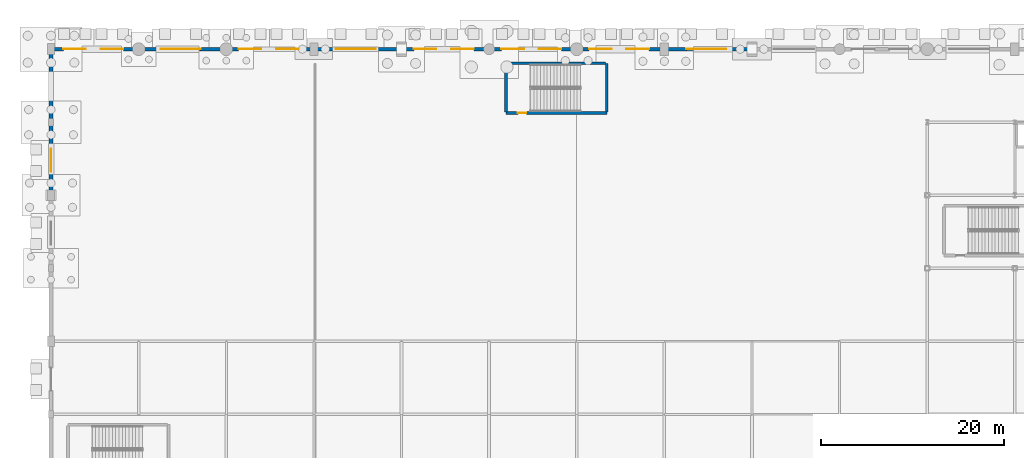
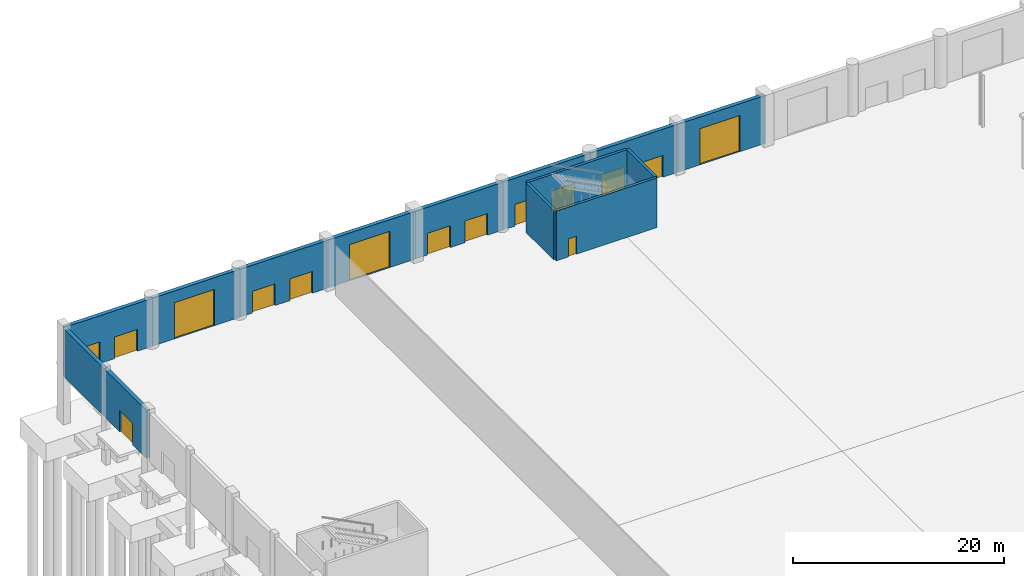
# One storey, part 86 of 124: 15 doors, 14 walls, 15 openings.
"""IFC4 building model written with IfcOpenShell, lengths in metres."""

import ifcopenshell
import ifcopenshell.guid

model = None  # the IFC model being written
_history = None  # IfcOwnerHistory: only IFC2X3 demands one
_inside = {}  # id of a spatial element -> (the spatial element, [elements in it])
_under = {}  # id of a project, library or spatial element -> (it, [spatial elements below it])
_declared = {}  # id of a project -> (the project, [libraries it declares])
_typed = {}  # id of a type object -> (the type object, [elements of that type])
_made_of = {}  # id of a material, layer set ... -> (it, [elements and type objects made of it])


def new_model(schema):
    """Start an empty IFC model of exactly this schema.

    Asked for "IFC4X3", IfcOpenShell would pick the latest addendum, in which some entities
    have other attributes; the version numbers below select the first issue.
    IFC2X3 requires an IfcOwnerHistory on every rooted entity: one is made here for all.
    """
    global model, _history
    if schema == "IFC4X3":
        model = ifcopenshell.file(schema_version=(4, 3, 0, 0))
    else:
        model = ifcopenshell.file(schema=schema)
    _inside.clear()
    _under.clear()
    _declared.clear()
    _typed.clear()
    _made_of.clear()
    _history = None
    if model.schema == "IFC2X3":
        org = make("IfcOrganization", Name="unknown")
        user = make(
            "IfcPersonAndOrganization",
            ThePerson=make("IfcPerson", FamilyName="unknown"),
            TheOrganization=org,
        )
        app = make(
            "IfcApplication",
            ApplicationDeveloper=org,
            Version="unknown",
            ApplicationFullName="unknown",
            ApplicationIdentifier="unknown",
        )
        _history = make(
            "IfcOwnerHistory",
            OwningUser=user,
            OwningApplication=app,
            ChangeAction="ADDED",
            CreationDate=0,
        )
    return model


def make(cls, **values):
    """One entity of the class cls with the attributes given. An attribute that is None is left unset."""
    return model.create_entity(
        cls, **{name: value for name, value in values.items() if value is not None}
    )


def rooted(cls, **values):
    """An entity with a GlobalId (a new one), such as an element, a storey or a relation."""
    return make(cls, GlobalId=ifcopenshell.guid.new(), OwnerHistory=_history, **values)


def si_unit(unit_type, name, prefix=None):
    """IfcSIUnit, for example si_unit("LENGTHUNIT", "METRE", prefix="MILLI")."""
    return make("IfcSIUnit", UnitType=unit_type, Prefix=prefix, Name=name)


def assignment(units):
    """IfcUnitAssignment: the units of a project."""
    return None if units is None else make("IfcUnitAssignment", Units=units)


def point(xyz):
    """IfcCartesianPoint."""
    return None if xyz is None else make("IfcCartesianPoint", Coordinates=xyz)


def direction(xyz):
    """IfcDirection."""
    return None if xyz is None else make("IfcDirection", DirectionRatios=xyz)


def frame(location, z_axis=None, x_axis=None):
    """IfcAxis2Placement3D, a coordinate frame: its origin and axes. An axis left out is left unset."""
    return make(
        "IfcAxis2Placement3D",
        Location=point(location),
        Axis=direction(z_axis),
        RefDirection=direction(x_axis),
    )


def frame_2d(location, x_axis=None):
    """IfcAxis2Placement2D, a coordinate frame in the plane: its origin and x axis."""
    return make(
        "IfcAxis2Placement2D", Location=point(location), RefDirection=direction(x_axis)
    )


def origin():
    """The frame at (0, 0, 0) with its axes left unset."""
    return frame((0.0, 0.0, 0.0))


def place(relative_to, where):
    """IfcLocalPlacement: puts the frame where relative to a parent placement (None: the world)."""
    return make(
        "IfcLocalPlacement", PlacementRelTo=relative_to, RelativePlacement=where
    )


def context(
    kind, dimensions, precision=None, world=None, true_north=None, identifier=None
):
    """IfcGeometricRepresentationContext, for example the 3D "Model" context."""
    return make(
        "IfcGeometricRepresentationContext",
        ContextIdentifier=identifier,
        ContextType=kind,
        CoordinateSpaceDimension=dimensions,
        Precision=precision,
        WorldCoordinateSystem=world,
        TrueNorth=true_north,
    )


def subcontext(parent, identifier, kind, view, scale=None):
    """IfcGeometricRepresentationSubContext, for example "Body" below "Model"."""
    return make(
        "IfcGeometricRepresentationSubContext",
        ContextIdentifier=identifier,
        ContextType=kind,
        ParentContext=parent,
        TargetScale=scale,
        TargetView=view,
    )


def project(units=None, contexts=None):
    """IfcProject with its units and contexts."""
    return rooted(
        "IfcProject",
        Name="project",
        RepresentationContexts=contexts,
        UnitsInContext=assignment(units),
    )


def spatial(cls, under=None, at=None, **own):
    """A site, building, storey or space (cls), placed at a placement, below another one or the project."""
    s = rooted(cls, ObjectPlacement=at, **own)
    if under is not None:
        _under.setdefault(under.id(), (under, []))[1].append(s)
    return s


def profile(cls, at=None, kind="AREA", **sizes):
    """A parametric profile (cls). Its sizes go by their IFC names, for example OverallWidth=200.0."""
    return make(cls, ProfileType=kind, Position=at, **sizes)


def rectangle(**sizes):
    """IfcRectangleProfileDef."""
    return profile("IfcRectangleProfileDef", **sizes)


def extrude(swept, where, along, depth):
    """IfcExtrudedAreaSolid: the profile swept, set in the frame where, extruded along a direction by depth."""
    return make(
        "IfcExtrudedAreaSolid",
        SweptArea=swept,
        Position=where,
        ExtrudedDirection=direction(along),
        Depth=depth,
    )


def shape(context_of_items, identifier, shape_type, items):
    """IfcShapeRepresentation: the items that make up one representation, for example the "Body"."""
    return make(
        "IfcShapeRepresentation",
        ContextOfItems=context_of_items,
        RepresentationIdentifier=identifier,
        RepresentationType=shape_type,
        Items=items,
    )


def material(Name=None, Category=None):
    """IfcMaterial."""
    return make("IfcMaterial", Name=Name, Category=Category)


def layer(
    of_material, thickness, ventilated=None, Name=None, Category=None, Priority=None
):
    """IfcMaterialLayer: one layer of a wall or slab, of a material (None: an air gap)."""
    return make(
        "IfcMaterialLayer",
        Material=of_material,
        LayerThickness=thickness,
        IsVentilated=ventilated,
        Name=Name,
        Category=Category,
        Priority=Priority,
    )


def layer_set(layers, Name=None):
    """IfcMaterialLayerSet."""
    return make("IfcMaterialLayerSet", MaterialLayers=layers, LayerSetName=Name)


def made_of(thing, what):
    """Note that an element or type object is made of a material, layer set ...; save() writes the relation."""
    if what is not None:
        _made_of.setdefault(what.id(), (what, []))[1].append(thing)
    return thing


def type_object(cls, material=None, **own):
    """A type object (cls), such as IfcWallType, which elements share."""
    return made_of(rooted(cls, **own), material)


def element(
    cls,
    number,
    at=None,
    inside=None,
    cuts=None,
    type_object=None,
    material=None,
    context=None,
    identifier="Body",
    shape_type=None,
    held_by="IfcProductDefinitionShape",
    body=None,
    shapes=None,
    **own,
):
    """One element of the class cls, such as IfcWall. Its Tag is "e" and its number.

    at: its placement. inside: the storey or other place that contains it. cuts: it is an
    opening in that element (IfcRelVoidsElement). A single representation is given by context,
    identifier, shape_type and body (its items); several are given by shapes. held_by: the class
    of the entity that holds the representations. save() writes the other relations.
    """
    e = rooted(cls, Tag="e%d" % number, ObjectPlacement=at, **own)
    if body is not None:
        shapes = [shape(context, identifier, shape_type, body)]
    if shapes is not None:
        e.Representation = make(held_by, Representations=shapes)
    if inside is not None:
        _inside.setdefault(inside.id(), (inside, []))[1].append(e)
    if cuts is not None:
        rooted(
            "IfcRelVoidsElement", RelatingBuildingElement=cuts, RelatedOpeningElement=e
        )
    if type_object is not None:
        _typed.setdefault(type_object.id(), (type_object, []))[1].append(e)
    return made_of(e, material)


def fill(opening, filler):
    """IfcRelFillsElement: the door or window that sits in an opening."""
    return rooted(
        "IfcRelFillsElement",
        RelatingOpeningElement=opening,
        RelatedBuildingElement=filler,
    )


def aggregate(whole, parts):
    """IfcRelAggregates: a whole, such as a stair, and the parts it consists of."""
    return rooted("IfcRelAggregates", RelatingObject=whole, RelatedObjects=parts)


def save(model, path):
    """Write the relations noted so far, then the file.

    IfcRelAggregates (storeys below a building ...), IfcRelContainedInSpatialStructure (elements
    in a storey), IfcRelDefinesByType, IfcRelAssociatesMaterial and IfcRelDeclares: one each for
    every whole, place, type object, material and project.
    """
    for whole, parts in _under.values():
        aggregate(whole, parts)
    for where, things in _inside.values():
        rooted(
            "IfcRelContainedInSpatialStructure",
            RelatedElements=things,
            RelatingStructure=where,
        )
    for kind, things in _typed.values():
        rooted("IfcRelDefinesByType", RelatedObjects=things, RelatingType=kind)
    for what, things in _made_of.values():
        rooted("IfcRelAssociatesMaterial", RelatedObjects=things, RelatingMaterial=what)
    for by, libraries in _declared.values():
        rooted("IfcRelDeclares", RelatingContext=by, RelatedDefinitions=libraries)
    model.write(path)


model = new_model("IFC4")

# Units and contexts
model_context = context("Model", 3, precision=1e-05, world=origin(), true_north=direction((0.0, 1.0)))
body_context = subcontext(model_context, "Body", "Model", "MODEL_VIEW")
ifc_project = project(units=[si_unit("LENGTHUNIT", "METRE"), si_unit("AREAUNIT", "SQUARE_METRE"), si_unit("VOLUMEUNIT", "CUBIC_METRE"), si_unit("PLANEANGLEUNIT", "RADIAN"), si_unit("MASSUNIT", "GRAM", prefix="KILO")], contexts=[model_context])

# Site, building, storey
site_placement = place(None, origin())
site = spatial("IfcSite", under=ifc_project, at=site_placement, CompositionType="ELEMENT")
building_placement = place(site_placement, origin())
building = spatial("IfcBuilding", under=site, at=building_placement, Name="Danafjord Basin Convention Centre", CompositionType="ELEMENT")
storey_placement = place(building_placement, origin())
storey = spatial("IfcBuildingStorey", under=building, at=storey_placement, Name="L00", CompositionType="ELEMENT", Elevation=0.0)

# Wall, opening, door
ifc_material_1 = material(Name="Concrete C40/50", Category="concrete")
ifc_layer_1 = layer(ifc_material_1, 0.300048828125)
ifc_layer_set_1 = layer_set([ifc_layer_1], Name="Concrete C40/50")
wall_type_1 = type_object("IfcWallType", Name="WALL-CW-CORE300", PredefinedType="SHEAR", material=ifc_layer_set_1)
wall_1_placement = place(storey_placement, frame((60.889892578125, 137.0, 0.0), z_axis=(0.0, 0.0, 1.0), x_axis=(-1.0, 0.0, 0.0)))
wall_1 = element("IfcWall", 1, at=wall_1_placement, inside=storey, type_object=wall_type_1, Name="North Exhibition Perimeter Stair core shear wall (south)", PredefinedType="SHEAR", context=body_context, shape_type="SweptSolid", body=[
    extrude(rectangle(XDim=11.039794921875, YDim=0.300048828125, at=frame_2d((5.52001953125, 0.0))), origin(), (0.0, 0.0, 1.0), 5.75),
])
opening_1_placement = place(wall_1_placement, frame((8.818115234375, 0.0, 0.0)))
opening_1 = element("IfcOpeningElement", 2, at=opening_1_placement, cuts=wall_1, Name="Opening FD-S01", PredefinedType="OPENING", context=body_context, shape_type="SweptSolid", body=[
    extrude(rectangle(XDim=0.909912109375, YDim=2.080078125, at=frame_2d((0.455078125, 1.0400390625))), frame((0.0, 0.159912109375, 0.0), z_axis=(0.0, -1.0, 0.0), x_axis=(1.0, 0.0, 0.0)), (0.0, 0.0, 1.0), 0.320068359375),
])
ifc_material_2 = material(Name="Powder-coated steel and Nordic oak", Category="steel")
door_type_1 = type_object("IfcDoorType", Name="DOOR-FD-S01", OperationType="NOTDEFINED", PredefinedType="DOOR", material=ifc_material_2)
door_1_placement = place(opening_1_placement, origin())
door_1 = element("IfcDoor", 3, at=door_1_placement, inside=storey, type_object=door_type_1, Name="North Exhibition Perimeter Stair L00 Fire Exit Door", OperationType="SINGLE_SWING_RIGHT", OverallHeight=2.080078125, OverallWidth=0.909912109375, PredefinedType="DOOR", context=body_context, shape_type="SweptSolid", body=[
    extrude(rectangle(XDim=0.909912109375, YDim=2.080078125, at=frame_2d((0.455078125, 1.0400390625))), frame((0.0, 0.02490234375, 0.0), z_axis=(0.0, -1.0, 0.0), x_axis=(1.0, 0.0, 0.0)), (0.0, 0.0, 1.0), 0.050048828125),
])
fill(opening_1, door_1)

# Walls
wall_2_placement = place(storey_placement, frame((60.889892578125, 142.4599609375, 0.0), z_axis=(0.0, 0.0, 1.0), x_axis=(0.0, -1.0, 0.0)))
element("IfcWall", 4, at=wall_2_placement, inside=storey, type_object=wall_type_1, Name="North Exhibition Perimeter Stair core shear wall (east)", PredefinedType="SHEAR", context=body_context, shape_type="SweptSolid", body=[
    extrude(rectangle(XDim=5.324951171875, YDim=0.300048828125, at=frame_2d((2.66259765625, 0.0))), origin(), (0.0, 0.0, 1.0), 5.75),
])
wall_3_placement = place(storey_placement, frame((49.85009765625, 142.4599609375, 0.0), z_axis=(0.0, 0.0, 1.0), x_axis=(1.0, 0.0, 0.0)))
element("IfcWall", 5, at=wall_3_placement, inside=storey, type_object=wall_type_1, Name="North Exhibition Perimeter Stair core shear wall (north)", PredefinedType="SHEAR", context=body_context, shape_type="SweptSolid", body=[
    extrude(rectangle(XDim=10.90478515625, YDim=0.300048828125, at=frame_2d((5.452392578125, 0.0))), origin(), (0.0, 0.0, 1.0), 5.75),
])
wall_4_placement = place(storey_placement, frame((49.85009765625, 137.135009765625, 0.0), z_axis=(0.0, 0.0, 1.0), x_axis=(0.0, 1.0, 0.0)))
element("IfcWall", 6, at=wall_4_placement, inside=storey, type_object=wall_type_1, Name="North Exhibition Perimeter Stair core shear wall (west)", PredefinedType="SHEAR", context=body_context, shape_type="SweptSolid", body=[
    extrude(rectangle(XDim=5.18994140625, YDim=0.300048828125, at=frame_2d((2.594970703125, 0.0))), origin(), (0.0, 0.0, 1.0), 5.75),
])

# Wall, openings, doors
ifc_material_3 = material(Name="Precast concrete C45/55", Category="concrete")
ifc_layer_2 = layer(ifc_material_3, 0.419921875)
ifc_layer_set_2 = layer_set([ifc_layer_2], Name="Precast concrete C45/55")
wall_type_2 = type_object("IfcWallType", Name="WALL-EW-PC420", PredefinedType="SOLIDWALL", material=ifc_layer_set_2)
wall_5_placement = place(storey_placement, frame((0.0, 144.0, 0.0), z_axis=(0.0, 0.0, 1.0), x_axis=(1.0, 0.0, 0.0)))
wall_5 = element("IfcWall", 7, at=wall_5_placement, inside=storey, type_object=wall_type_2, Name="Exhibition hall N acoustic precast wall bay 1", PredefinedType="SOLIDWALL", context=body_context, shape_type="SweptSolid", body=[
    extrude(rectangle(XDim=9.60009765625, YDim=0.419921875, at=frame_2d((4.800048828125, 0.0))), origin(), (0.0, 0.0, 1.0), 5.550048828125),
])
opening_2_placement = place(wall_5_placement, frame((1.35009765625, 0.0, 0.0)))
opening_2 = element("IfcOpeningElement", 8, at=opening_2_placement, cuts=wall_5, Name="Opening ED-02", PredefinedType="OPENING", context=body_context, shape_type="SweptSolid", body=[
    extrude(rectangle(XDim=2.47998046875, YDim=2.52001953125, at=frame_2d((1.239990234375, 1.260009765625))), frame((0.0, 0.219970703125, 0.0), z_axis=(0.0, -1.0, 0.0), x_axis=(1.0, 0.0, 0.0)), (0.0, 0.0, 1.0), 0.43994140625),
])
opening_3_placement = place(wall_5_placement, frame((5.449951171875, 0.0, 0.0)))
opening_3 = element("IfcOpeningElement", 9, at=opening_3_placement, cuts=wall_5, Name="Opening ED-02", PredefinedType="OPENING", context=body_context, shape_type="SweptSolid", body=[
    extrude(rectangle(XDim=2.47998046875, YDim=2.52001953125, at=frame_2d((1.239990234375, 1.260009765625))), frame((0.0, 0.219970703125, 0.0), z_axis=(0.0, -1.0, 0.0), x_axis=(1.0, 0.0, 0.0)), (0.0, 0.0, 1.0), 0.43994140625),
])
ifc_material_4 = material(Name="Thermally broken anodised aluminium and steel", Category="steel")
door_type_2 = type_object("IfcDoorType", Name="DOOR-ED-02", OperationType="DOUBLE_DOOR_SINGLE_SWING", PredefinedType="DOOR", material=ifc_material_4)
door_2_placement = place(opening_2_placement, origin())
door_2 = element("IfcDoor", 10, at=door_2_placement, inside=storey, type_object=door_type_2, Name="Exhibition Hall Exit Door EX-01", OperationType="DOUBLE_DOOR_SINGLE_SWING", OverallHeight=2.52001953125, OverallWidth=2.47998046875, PredefinedType="DOOR", context=body_context, shape_type="SweptSolid", body=[
    extrude(rectangle(XDim=2.47998046875, YDim=2.52001953125, at=frame_2d((1.239990234375, 1.260009765625))), frame((0.0, 0.02490234375, 0.0), z_axis=(0.0, -1.0, 0.0), x_axis=(1.0, 0.0, 0.0)), (0.0, 0.0, 1.0), 0.050048828125),
])
fill(opening_2, door_2)
door_3_placement = place(opening_3_placement, origin())
door_3 = element("IfcDoor", 11, at=door_3_placement, inside=storey, type_object=door_type_2, Name="Exhibition Hall Exit Door EX-02", OperationType="DOUBLE_DOOR_SINGLE_SWING", OverallHeight=2.52001953125, OverallWidth=2.47998046875, PredefinedType="DOOR", context=body_context, shape_type="SweptSolid", body=[
    extrude(rectangle(XDim=2.47998046875, YDim=2.52001953125, at=frame_2d((1.239990234375, 1.260009765625))), frame((0.0, 0.02490234375, 0.0), z_axis=(0.0, -1.0, 0.0), x_axis=(1.0, 0.0, 0.0)), (0.0, 0.0, 1.0), 0.050048828125),
])
fill(opening_3, door_3)

# Wall, opening, door
wall_6_placement = place(storey_placement, frame((9.60009765625, 144.0, 0.0), z_axis=(0.0, 0.0, 1.0), x_axis=(1.0, 0.0, 0.0)))
wall_6 = element("IfcWall", 12, at=wall_6_placement, inside=storey, type_object=wall_type_2, Name="Exhibition hall N acoustic precast wall bay 2", PredefinedType="SOLIDWALL", context=body_context, shape_type="SweptSolid", body=[
    extrude(rectangle(XDim=9.599853515625, YDim=0.419921875, at=frame_2d((4.7998046875, 0.0))), origin(), (0.0, 0.0, 1.0), 5.550048828125),
])
opening_4_placement = place(wall_6_placement, frame((2.39990234375, 0.0, 0.0)))
opening_4 = element("IfcOpeningElement", 13, at=opening_4_placement, cuts=wall_6, Name="Opening SH-01", PredefinedType="OPENING", context=body_context, shape_type="SweptSolid", body=[
    extrude(rectangle(XDim=4.39990234375, YDim=4.199951171875, at=frame_2d((2.199951171875, 2.10009765625))), frame((0.0, 0.219970703125, 0.0), z_axis=(0.0, -1.0, 0.0), x_axis=(1.0, 0.0, 0.0)), (0.0, 0.0, 1.0), 0.43994140625),
])
door_type_3 = type_object("IfcDoorType", Name="DOOR-SH-01", OperationType="ROLLINGUP", PredefinedType="TRAPDOOR", material=ifc_material_4)
door_4_placement = place(opening_4_placement, origin())
door_4 = element("IfcDoor", 14, at=door_4_placement, inside=storey, type_object=door_type_3, Name="Exhibition Freight Roller Shutter SH-03", OperationType="ROLLINGUP", OverallHeight=4.199951171875, OverallWidth=4.39990234375, PredefinedType="TRAPDOOR", context=body_context, shape_type="SweptSolid", body=[
    extrude(rectangle(XDim=4.39990234375, YDim=4.199951171875, at=frame_2d((2.199951171875, 2.10009765625))), frame((0.0, 0.02490234375, 0.0), z_axis=(0.0, -1.0, 0.0), x_axis=(1.0, 0.0, 0.0)), (0.0, 0.0, 1.0), 0.050048828125),
])
fill(opening_4, door_4)

# Wall, openings, doors
wall_7_placement = place(storey_placement, frame((19.199951171875, 144.0, 0.0), z_axis=(0.0, 0.0, 1.0), x_axis=(1.0, 0.0, 0.0)))
wall_7 = element("IfcWall", 15, at=wall_7_placement, inside=storey, type_object=wall_type_2, Name="Exhibition hall N acoustic precast wall bay 3", PredefinedType="SOLIDWALL", context=body_context, shape_type="SweptSolid", body=[
    extrude(rectangle(XDim=9.60009765625, YDim=0.419921875, at=frame_2d((4.800048828125, 0.0))), origin(), (0.0, 0.0, 1.0), 5.550048828125),
])
opening_5_placement = place(wall_7_placement, frame((1.35009765625, 0.0, 0.0)))
opening_5 = element("IfcOpeningElement", 16, at=opening_5_placement, cuts=wall_7, Name="Opening ED-02", PredefinedType="OPENING", context=body_context, shape_type="SweptSolid", body=[
    extrude(rectangle(XDim=2.47998046875, YDim=2.52001953125, at=frame_2d((1.239990234375, 1.260009765625))), frame((0.0, 0.219970703125, 0.0), z_axis=(0.0, -1.0, 0.0), x_axis=(1.0, 0.0, 0.0)), (0.0, 0.0, 1.0), 0.43994140625),
])
opening_6_placement = place(wall_7_placement, frame((5.449951171875, 0.0, 0.0)))
opening_6 = element("IfcOpeningElement", 17, at=opening_6_placement, cuts=wall_7, Name="Opening ED-02", PredefinedType="OPENING", context=body_context, shape_type="SweptSolid", body=[
    extrude(rectangle(XDim=2.47998046875, YDim=2.52001953125, at=frame_2d((1.239990234375, 1.260009765625))), frame((0.0, 0.219970703125, 0.0), z_axis=(0.0, -1.0, 0.0), x_axis=(1.0, 0.0, 0.0)), (0.0, 0.0, 1.0), 0.43994140625),
])
door_5_placement = place(opening_5_placement, origin())
door_5 = element("IfcDoor", 18, at=door_5_placement, inside=storey, type_object=door_type_2, Name="Exhibition Hall Exit Door EX-06", OperationType="DOUBLE_DOOR_SINGLE_SWING", OverallHeight=2.52001953125, OverallWidth=2.47998046875, PredefinedType="DOOR", context=body_context, shape_type="SweptSolid", body=[
    extrude(rectangle(XDim=2.47998046875, YDim=2.52001953125, at=frame_2d((1.239990234375, 1.260009765625))), frame((0.0, 0.02490234375, 0.0), z_axis=(0.0, -1.0, 0.0), x_axis=(1.0, 0.0, 0.0)), (0.0, 0.0, 1.0), 0.050048828125),
])
fill(opening_5, door_5)
door_6_placement = place(opening_6_placement, origin())
door_6 = element("IfcDoor", 19, at=door_6_placement, inside=storey, type_object=door_type_2, Name="Exhibition Hall Exit Door EX-07", OperationType="DOUBLE_DOOR_SINGLE_SWING", OverallHeight=2.52001953125, OverallWidth=2.47998046875, PredefinedType="DOOR", context=body_context, shape_type="SweptSolid", body=[
    extrude(rectangle(XDim=2.47998046875, YDim=2.52001953125, at=frame_2d((1.239990234375, 1.260009765625))), frame((0.0, 0.02490234375, 0.0), z_axis=(0.0, -1.0, 0.0), x_axis=(1.0, 0.0, 0.0)), (0.0, 0.0, 1.0), 0.050048828125),
])
fill(opening_6, door_6)

# Wall, opening, door
wall_8_placement = place(storey_placement, frame((28.800048828125, 144.0, 0.0), z_axis=(0.0, 0.0, 1.0), x_axis=(1.0, 0.0, 0.0)))
wall_8 = element("IfcWall", 20, at=wall_8_placement, inside=storey, type_object=wall_type_2, Name="Exhibition hall N acoustic precast wall bay 4", PredefinedType="SOLIDWALL", context=body_context, shape_type="SweptSolid", body=[
    extrude(rectangle(XDim=9.599853515625, YDim=0.419921875, at=frame_2d((4.7998046875, 0.0))), origin(), (0.0, 0.0, 1.0), 5.550048828125),
])
opening_7_placement = place(wall_8_placement, frame((2.39990234375, 0.0, 0.0)))
opening_7 = element("IfcOpeningElement", 21, at=opening_7_placement, cuts=wall_8, Name="Opening SH-01", PredefinedType="OPENING", context=body_context, shape_type="SweptSolid", body=[
    extrude(rectangle(XDim=4.39990234375, YDim=4.199951171875, at=frame_2d((2.199951171875, 2.10009765625))), frame((0.0, 0.219970703125, 0.0), z_axis=(0.0, -1.0, 0.0), x_axis=(1.0, 0.0, 0.0)), (0.0, 0.0, 1.0), 0.43994140625),
])
door_7_placement = place(opening_7_placement, origin())
door_7 = element("IfcDoor", 22, at=door_7_placement, inside=storey, type_object=door_type_3, Name="Exhibition Freight Roller Shutter SH-10", OperationType="ROLLINGUP", OverallHeight=4.199951171875, OverallWidth=4.39990234375, PredefinedType="TRAPDOOR", context=body_context, shape_type="SweptSolid", body=[
    extrude(rectangle(XDim=4.39990234375, YDim=4.199951171875, at=frame_2d((2.199951171875, 2.10009765625))), frame((0.0, 0.02490234375, 0.0), z_axis=(0.0, -1.0, 0.0), x_axis=(1.0, 0.0, 0.0)), (0.0, 0.0, 1.0), 0.050048828125),
])
fill(opening_7, door_7)

# Wall, openings, doors
wall_9_placement = place(storey_placement, frame((38.39990234375, 144.0, 0.0), z_axis=(0.0, 0.0, 1.0), x_axis=(1.0, 0.0, 0.0)))
wall_9 = element("IfcWall", 23, at=wall_9_placement, inside=storey, type_object=wall_type_2, Name="Exhibition hall N acoustic precast wall bay 5", PredefinedType="SOLIDWALL", context=body_context, shape_type="SweptSolid", body=[
    extrude(rectangle(XDim=9.60009765625, YDim=0.419921875, at=frame_2d((4.800048828125, 0.0))), origin(), (0.0, 0.0, 1.0), 5.550048828125),
])
opening_8_placement = place(wall_9_placement, frame((1.35009765625, 0.0, 0.0)))
opening_8 = element("IfcOpeningElement", 24, at=opening_8_placement, cuts=wall_9, Name="Opening ED-02", PredefinedType="OPENING", context=body_context, shape_type="SweptSolid", body=[
    extrude(rectangle(XDim=2.47998046875, YDim=2.52001953125, at=frame_2d((1.239990234375, 1.260009765625))), frame((0.0, 0.219970703125, 0.0), z_axis=(0.0, -1.0, 0.0), x_axis=(1.0, 0.0, 0.0)), (0.0, 0.0, 1.0), 0.43994140625),
])
opening_9_placement = place(wall_9_placement, frame((5.449951171875, 0.0, 0.0)))
opening_9 = element("IfcOpeningElement", 25, at=opening_9_placement, cuts=wall_9, Name="Opening ED-02", PredefinedType="OPENING", context=body_context, shape_type="SweptSolid", body=[
    extrude(rectangle(XDim=2.47998046875, YDim=2.52001953125, at=frame_2d((1.239990234375, 1.260009765625))), frame((0.0, 0.219970703125, 0.0), z_axis=(0.0, -1.0, 0.0), x_axis=(1.0, 0.0, 0.0)), (0.0, 0.0, 1.0), 0.43994140625),
])
door_8_placement = place(opening_8_placement, origin())
door_8 = element("IfcDoor", 26, at=door_8_placement, inside=storey, type_object=door_type_2, Name="Exhibition Hall Exit Door EX-13", OperationType="DOUBLE_DOOR_SINGLE_SWING", OverallHeight=2.52001953125, OverallWidth=2.47998046875, PredefinedType="DOOR", context=body_context, shape_type="SweptSolid", body=[
    extrude(rectangle(XDim=2.47998046875, YDim=2.52001953125, at=frame_2d((1.239990234375, 1.260009765625))), frame((0.0, 0.02490234375, 0.0), z_axis=(0.0, -1.0, 0.0), x_axis=(1.0, 0.0, 0.0)), (0.0, 0.0, 1.0), 0.050048828125),
])
fill(opening_8, door_8)
door_9_placement = place(opening_9_placement, origin())
door_9 = element("IfcDoor", 27, at=door_9_placement, inside=storey, type_object=door_type_2, Name="Exhibition Hall Exit Door EX-14", OperationType="DOUBLE_DOOR_SINGLE_SWING", OverallHeight=2.52001953125, OverallWidth=2.47998046875, PredefinedType="DOOR", context=body_context, shape_type="SweptSolid", body=[
    extrude(rectangle(XDim=2.47998046875, YDim=2.52001953125, at=frame_2d((1.239990234375, 1.260009765625))), frame((0.0, 0.02490234375, 0.0), z_axis=(0.0, -1.0, 0.0), x_axis=(1.0, 0.0, 0.0)), (0.0, 0.0, 1.0), 0.050048828125),
])
fill(opening_9, door_9)

wall_10_placement = place(storey_placement, frame((48.0, 144.0, 0.0), z_axis=(0.0, 0.0, 1.0), x_axis=(1.0, 0.0, 0.0)))
wall_10 = element("IfcWall", 28, at=wall_10_placement, inside=storey, type_object=wall_type_2, Name="Exhibition hall N acoustic precast wall bay 6", PredefinedType="SOLIDWALL", context=body_context, shape_type="SweptSolid", body=[
    extrude(rectangle(XDim=9.60009765625, YDim=0.419921875, at=frame_2d((4.800048828125, 0.0))), origin(), (0.0, 0.0, 1.0), 5.550048828125),
])
opening_10_placement = place(wall_10_placement, frame((1.35009765625, 0.0, 0.0)))
opening_10 = element("IfcOpeningElement", 29, at=opening_10_placement, cuts=wall_10, Name="Opening ED-02", PredefinedType="OPENING", context=body_context, shape_type="SweptSolid", body=[
    extrude(rectangle(XDim=2.47998046875, YDim=2.52001953125, at=frame_2d((1.239990234375, 1.260009765625))), frame((0.0, 0.219970703125, 0.0), z_axis=(0.0, -1.0, 0.0), x_axis=(1.0, 0.0, 0.0)), (0.0, 0.0, 1.0), 0.43994140625),
])
opening_11_placement = place(wall_10_placement, frame((5.449951171875, 0.0, 0.0)))
opening_11 = element("IfcOpeningElement", 30, at=opening_11_placement, cuts=wall_10, Name="Opening ED-02", PredefinedType="OPENING", context=body_context, shape_type="SweptSolid", body=[
    extrude(rectangle(XDim=2.47998046875, YDim=2.52001953125, at=frame_2d((1.239990234375, 1.260009765625))), frame((0.0, 0.219970703125, 0.0), z_axis=(0.0, -1.0, 0.0), x_axis=(1.0, 0.0, 0.0)), (0.0, 0.0, 1.0), 0.43994140625),
])
door_10_placement = place(opening_10_placement, origin())
door_10 = element("IfcDoor", 31, at=door_10_placement, inside=storey, type_object=door_type_2, Name="Exhibition Hall Exit Door EX-17", OperationType="DOUBLE_DOOR_SINGLE_SWING", OverallHeight=2.52001953125, OverallWidth=2.47998046875, PredefinedType="DOOR", context=body_context, shape_type="SweptSolid", body=[
    extrude(rectangle(XDim=2.47998046875, YDim=2.52001953125, at=frame_2d((1.239990234375, 1.260009765625))), frame((0.0, 0.02490234375, 0.0), z_axis=(0.0, -1.0, 0.0), x_axis=(1.0, 0.0, 0.0)), (0.0, 0.0, 1.0), 0.050048828125),
])
fill(opening_10, door_10)
door_11_placement = place(opening_11_placement, origin())
door_11 = element("IfcDoor", 32, at=door_11_placement, inside=storey, type_object=door_type_2, Name="Exhibition Hall Exit Door EX-18", OperationType="DOUBLE_DOOR_SINGLE_SWING", OverallHeight=2.52001953125, OverallWidth=2.47998046875, PredefinedType="DOOR", context=body_context, shape_type="SweptSolid", body=[
    extrude(rectangle(XDim=2.47998046875, YDim=2.52001953125, at=frame_2d((1.239990234375, 1.260009765625))), frame((0.0, 0.02490234375, 0.0), z_axis=(0.0, -1.0, 0.0), x_axis=(1.0, 0.0, 0.0)), (0.0, 0.0, 1.0), 0.050048828125),
])
fill(opening_11, door_11)

wall_11_placement = place(storey_placement, frame((57.60009765625, 144.0, 0.0), z_axis=(0.0, 0.0, 1.0), x_axis=(1.0, 0.0, 0.0)))
wall_11 = element("IfcWall", 33, at=wall_11_placement, inside=storey, type_object=wall_type_2, Name="Exhibition hall N acoustic precast wall bay 7", PredefinedType="SOLIDWALL", context=body_context, shape_type="SweptSolid", body=[
    extrude(rectangle(XDim=9.599853515625, YDim=0.419921875, at=frame_2d((4.7998046875, 0.0))), origin(), (0.0, 0.0, 1.0), 5.550048828125),
])
opening_12_placement = place(wall_11_placement, frame((1.35009765625, 0.0, 0.0)))
opening_12 = element("IfcOpeningElement", 34, at=opening_12_placement, cuts=wall_11, Name="Opening ED-02", PredefinedType="OPENING", context=body_context, shape_type="SweptSolid", body=[
    extrude(rectangle(XDim=2.47998046875, YDim=2.52001953125, at=frame_2d((1.239990234375, 1.260009765625))), frame((0.0, 0.219970703125, 0.0), z_axis=(0.0, -1.0, 0.0), x_axis=(1.0, 0.0, 0.0)), (0.0, 0.0, 1.0), 0.43994140625),
])
opening_13_placement = place(wall_11_placement, frame((5.449951171875, 0.0, 0.0)))
opening_13 = element("IfcOpeningElement", 35, at=opening_13_placement, cuts=wall_11, Name="Opening ED-02", PredefinedType="OPENING", context=body_context, shape_type="SweptSolid", body=[
    extrude(rectangle(XDim=2.47998046875, YDim=2.52001953125, at=frame_2d((1.239990234375, 1.260009765625))), frame((0.0, 0.219970703125, 0.0), z_axis=(0.0, -1.0, 0.0), x_axis=(1.0, 0.0, 0.0)), (0.0, 0.0, 1.0), 0.43994140625),
])
door_12_placement = place(opening_12_placement, origin())
door_12 = element("IfcDoor", 36, at=door_12_placement, inside=storey, type_object=door_type_2, Name="Exhibition Hall Exit Door EX-21", OperationType="DOUBLE_DOOR_SINGLE_SWING", OverallHeight=2.52001953125, OverallWidth=2.47998046875, PredefinedType="DOOR", context=body_context, shape_type="SweptSolid", body=[
    extrude(rectangle(XDim=2.47998046875, YDim=2.52001953125, at=frame_2d((1.239990234375, 1.260009765625))), frame((0.0, 0.02490234375, 0.0), z_axis=(0.0, -1.0, 0.0), x_axis=(1.0, 0.0, 0.0)), (0.0, 0.0, 1.0), 0.050048828125),
])
fill(opening_12, door_12)
door_13_placement = place(opening_13_placement, origin())
door_13 = element("IfcDoor", 37, at=door_13_placement, inside=storey, type_object=door_type_2, Name="Exhibition Hall Exit Door EX-22", OperationType="DOUBLE_DOOR_SINGLE_SWING", OverallHeight=2.52001953125, OverallWidth=2.47998046875, PredefinedType="DOOR", context=body_context, shape_type="SweptSolid", body=[
    extrude(rectangle(XDim=2.47998046875, YDim=2.52001953125, at=frame_2d((1.239990234375, 1.260009765625))), frame((0.0, 0.02490234375, 0.0), z_axis=(0.0, -1.0, 0.0), x_axis=(1.0, 0.0, 0.0)), (0.0, 0.0, 1.0), 0.050048828125),
])
fill(opening_13, door_13)

# Wall, opening, door
wall_12_placement = place(storey_placement, frame((67.199951171875, 144.0, 0.0), z_axis=(0.0, 0.0, 1.0), x_axis=(1.0, 0.0, 0.0)))
wall_12 = element("IfcWall", 38, at=wall_12_placement, inside=storey, type_object=wall_type_2, Name="Exhibition hall N acoustic precast wall bay 8", PredefinedType="SOLIDWALL", context=body_context, shape_type="SweptSolid", body=[
    extrude(rectangle(XDim=9.60009765625, YDim=0.419921875, at=frame_2d((4.800048828125, 0.0))), origin(), (0.0, 0.0, 1.0), 5.550048828125),
])
opening_14_placement = place(wall_12_placement, frame((2.39990234375, 0.0, 0.0)))
opening_14 = element("IfcOpeningElement", 39, at=opening_14_placement, cuts=wall_12, Name="Opening SH-01", PredefinedType="OPENING", context=body_context, shape_type="SweptSolid", body=[
    extrude(rectangle(XDim=4.39990234375, YDim=4.199951171875, at=frame_2d((2.199951171875, 2.10009765625))), frame((0.0, 0.219970703125, 0.0), z_axis=(0.0, -1.0, 0.0), x_axis=(1.0, 0.0, 0.0)), (0.0, 0.0, 1.0), 0.43994140625),
])
door_14_placement = place(opening_14_placement, origin())
door_14 = element("IfcDoor", 40, at=door_14_placement, inside=storey, type_object=door_type_3, Name="Exhibition Freight Roller Shutter SH-25", OperationType="ROLLINGUP", OverallHeight=4.199951171875, OverallWidth=4.39990234375, PredefinedType="TRAPDOOR", context=body_context, shape_type="SweptSolid", body=[
    extrude(rectangle(XDim=4.39990234375, YDim=4.199951171875, at=frame_2d((2.199951171875, 2.10009765625))), frame((0.0, 0.02490234375, 0.0), z_axis=(0.0, -1.0, 0.0), x_axis=(1.0, 0.0, 0.0)), (0.0, 0.0, 1.0), 0.050048828125),
])
fill(opening_14, door_14)

wall_13_placement = place(storey_placement, frame((0.0, 128.0, 0.0), z_axis=(0.0, 0.0, 1.0), x_axis=(0.0, 1.0, 0.0)))
wall_13 = element("IfcWall", 41, at=wall_13_placement, inside=storey, type_object=wall_type_2, Name="Exhibition hall W precast wall bay 10", PredefinedType="SOLIDWALL", context=body_context, shape_type="SweptSolid", body=[
    extrude(rectangle(XDim=8.0, YDim=0.419921875, at=frame_2d((4.0, 0.0))), origin(), (0.0, 0.0, 1.0), 5.550048828125),
])
opening_15_placement = place(wall_13_placement, frame((2.60009765625, 0.0, 0.0)))
opening_15 = element("IfcOpeningElement", 42, at=opening_15_placement, cuts=wall_13, Name="Opening ED-02", PredefinedType="OPENING", context=body_context, shape_type="SweptSolid", body=[
    extrude(rectangle(XDim=2.47998046875, YDim=2.52001953125, at=frame_2d((1.239990234375, 1.260009765625))), frame((0.0, 0.219970703125, 0.0), z_axis=(0.0, -1.0, 0.0), x_axis=(1.0, 0.0, 0.0)), (0.0, 0.0, 1.0), 0.43994140625),
])
door_15_placement = place(opening_15_placement, origin())
door_15 = element("IfcDoor", 43, at=door_15_placement, inside=storey, type_object=door_type_2, Name="Exhibition Hall W Exit Door", OperationType="DOUBLE_DOOR_SINGLE_SWING", OverallHeight=2.52001953125, OverallWidth=2.47998046875, PredefinedType="DOOR", context=body_context, shape_type="SweptSolid", body=[
    extrude(rectangle(XDim=2.47998046875, YDim=2.52001953125, at=frame_2d((1.239990234375, 1.260009765625))), frame((0.0, 0.02490234375, 0.0), z_axis=(0.0, -1.0, 0.0), x_axis=(1.0, 0.0, 0.0)), (0.0, 0.0, 1.0), 0.050048828125),
])
fill(opening_15, door_15)

# Wall
wall_14_placement = place(storey_placement, frame((0.0, 136.0, 0.0), z_axis=(0.0, 0.0, 1.0), x_axis=(0.0, 1.0, 0.0)))
element("IfcWall", 44, at=wall_14_placement, inside=storey, type_object=wall_type_2, Name="Exhibition hall W precast wall bay 11", PredefinedType="SOLIDWALL", context=body_context, shape_type="SweptSolid", body=[
    extrude(rectangle(XDim=7.804931640625, YDim=0.419921875, at=frame_2d((3.90234375, 0.0))), origin(), (0.0, 0.0, 1.0), 5.550048828125),
])

save(model, "model.ifc")
